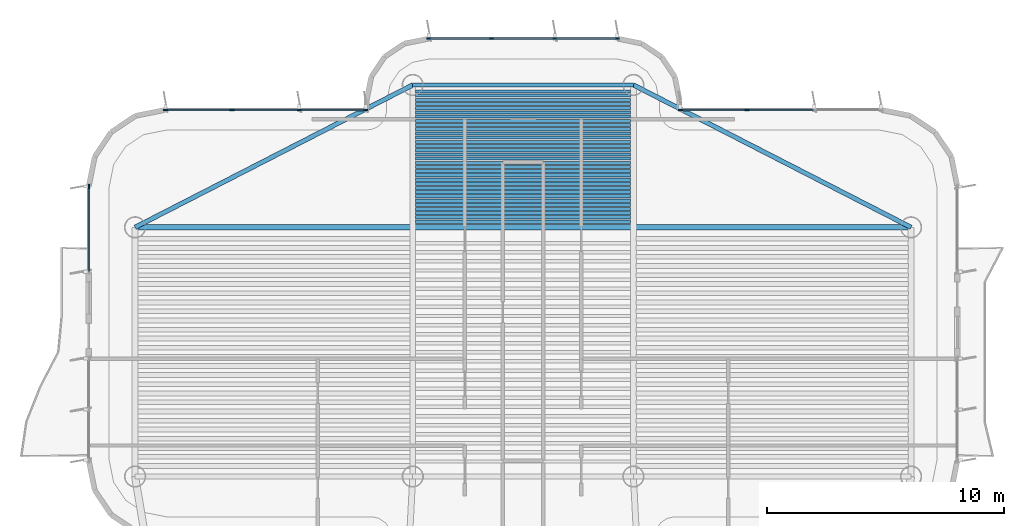
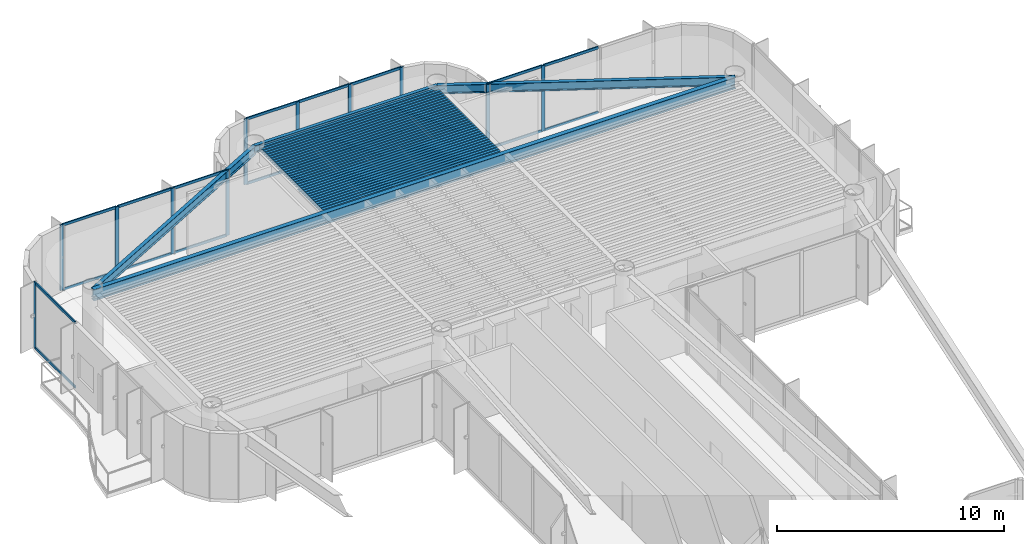
# One storey, part 7 of 15: 36 beams, 29 members, 4 elements without a shape of their own.
"""IFC4 building model written with IfcOpenShell, lengths in metres."""

from ifc_helpers import new_model, si_unit, direction, frame, origin, origin_2d, place, context, subcontext, project, spatial, rectangle, i_section, extrude, source, transform, mapped, material, layer, layer_set, material_profile, profile_set, type_object, element, aggregate, save


model = new_model("IFC4")

# Units and contexts
model_context = context("Model", 3, precision=1e-05, world=origin(), true_north=direction((0.0, 1.0)))
body_context = subcontext(model_context, "Body", "Model", "MODEL_VIEW")
ifc_project = project(units=[si_unit("LENGTHUNIT", "METRE"), si_unit("AREAUNIT", "SQUARE_METRE"), si_unit("VOLUMEUNIT", "CUBIC_METRE"), si_unit("PLANEANGLEUNIT", "RADIAN"), si_unit("MASSUNIT", "GRAM", prefix="KILO")], contexts=[model_context])

# Site, building, storey
site_placement = place(None, origin())
site = spatial("IfcSite", under=ifc_project, at=site_placement, CompositionType="ELEMENT")
building_placement = place(site_placement, origin())
building = spatial("IfcBuilding", under=site, at=building_placement, Name="Brelvock Crest Care Tower", CompositionType="ELEMENT")
storey_placement = place(building_placement, frame((0.0, 0.0, 249.47998046875)))
storey = spatial("IfcBuildingStorey", under=building, at=storey_placement, Name="L63", CompositionType="ELEMENT", Elevation=249.47998046875)

# Beams
ifc_material_1 = material(Name="Steel Grade 350", Category="steel")
ifc_material_profile_1 = material_profile(ifc_material_1, i_section(OverallWidth=0.177978515625, OverallDepth=0.406005859375, WebThickness=0.0078125, FlangeThickness=0.0126953125, FilletRadius=0.011474609375, at=origin_2d()), Name="410UB59.7")
ifc_profile_set_1 = profile_set([ifc_material_profile_1], Name="Steel Grade 350")
beam_type_1 = type_object("IfcBeamType", Name="BM-SP1", PredefinedType="SPANDREL", material=ifc_profile_set_1)
shared_shape_1 = source(origin(), body_context, "Body", "SweptSolid", [
    extrude(i_section(OverallWidth=0.177978515625, OverallDepth=0.406005859375, WebThickness=0.0078125, FlangeThickness=0.0126953125, FilletRadius=0.011474609375, at=origin_2d()), origin(), (0.0, 0.0, 1.0), 9.2998046875),
])
beam_1_placement = place(storey_placement, frame((31.35009765625, 60.449951171875, 3.326904296875), z_axis=(1.0, 0.0, 0.0), x_axis=(0.0, 1.0, 0.0)))
element("IfcBeam", 1, at=beam_1_placement, inside=storey, type_object=beam_type_1, Name="BM-TWR-L63-08", PredefinedType="SPANDREL", context=body_context, shape_type="MappedRepresentation", body=[
    mapped(shared_shape_1, transform((0.0, 0.0, 0.0), x_axis=(1.0, 0.0, 0.0), y_axis=(0.0, 1.0, 0.0), z_axis=(0.0, 0.0, 1.0), scale=1.0)),
])
ifc_material_profile_2 = material_profile(ifc_material_1, i_section(OverallWidth=0.14599609375, OverallDepth=0.256103515625, WebThickness=0.00634765625, FlangeThickness=0.010986328125, FilletRadius=0.0087890625, at=origin_2d()), Name="250UB37.3")
ifc_profile_set_2 = profile_set([ifc_material_profile_2], Name="Steel Grade 350")
beam_type_2 = type_object("IfcBeamType", Name="BM-J3", PredefinedType="JOIST", material=ifc_profile_set_2)
shared_shape_2 = source(origin(), body_context, "Body", "SweptSolid", [
    extrude(i_section(OverallWidth=0.14599609375, OverallDepth=0.256103515625, WebThickness=0.00634765625, FlangeThickness=0.010986328125, FilletRadius=0.0087890625, at=origin_2d()), origin(), (0.0, 0.0, 1.0), 9.06982421875),
])
for number, where, z_axis, x_axis, name in (
    (2, (31.465087890625, 54.68994140625, 3.402099609375), (1.0, 0.0, 0.0), (0.0, 1.0, 0.0), "BM-JN-L63-1"),
    (3, (31.465087890625, 54.866943359375, 3.402099609375), (1.0, 0.0, 0.0), (0.0, 1.0, 0.0), "BM-JN-L63-2"),
    (4, (31.465087890625, 55.0439453125, 3.402099609375), (1.0, 0.0, 0.0), (0.0, 1.0, 0.0), "BM-JN-L63-3"),
    (5, (31.465087890625, 55.220947265625, 3.402099609375), (1.0, 0.0, 0.0), (0.0, 1.0, 0.0), "BM-JN-L63-4"),
    (6, (31.465087890625, 55.39794921875, 3.402099609375), (1.0, 0.0, 0.0), (0.0, 1.0, 0.0), "BM-JN-L63-5"),
    (7, (31.465087890625, 55.574951171875, 3.402099609375), (1.0, 0.0, 0.0), (0.0, 1.0, 0.0), "BM-JN-L63-6"),
    (8, (31.465087890625, 55.751953125, 3.402099609375), (1.0, 0.0, 0.0), (0.0, 1.0, 0.0), "BM-JN-L63-7"),
    (9, (31.465087890625, 55.928955078125, 3.402099609375), (1.0, 0.0, 0.0), (0.0, 1.0, 0.0), "BM-JN-L63-8"),
    (10, (31.465087890625, 56.10595703125, 3.402099609375), (1.0, 0.0, 0.0), (0.0, 1.0, 0.0), "BM-JN-L63-9"),
    (11, (31.465087890625, 56.282958984375, 3.402099609375), (1.0, 0.0, 0.0), (0.0, 1.0, 0.0), "BM-JN-L63-10"),
    (12, (31.465087890625, 56.4599609375, 3.402099609375), (1.0, 0.0, 0.0), (0.0, 1.0, 0.0), "BM-JN-L63-11"),
    (13, (31.465087890625, 56.636962890625, 3.402099609375), (1.0, 0.0, 0.0), (0.0, 1.0, 0.0), "BM-JN-L63-12"),
    (14, (31.465087890625, 56.81396484375, 3.402099609375), (1.0, 0.0, 0.0), (0.0, 1.0, 0.0), "BM-JN-L63-13"),
):
    element("IfcBeam", number, at=place(storey_placement, frame(where, z_axis=z_axis, x_axis=x_axis)), inside=storey, type_object=beam_type_2, Name=name, PredefinedType="JOIST", context=body_context, shape_type="MappedRepresentation", body=[
        mapped(shared_shape_2, transform((0.0, 0.0, 0.0), x_axis=(1.0, 0.0, 0.0), y_axis=(0.0, 1.0, 0.0), z_axis=(0.0, 0.0, 1.0), scale=1.0)),
    ])
ifc_material_profile_3 = material_profile(ifc_material_1, i_section(OverallWidth=0.134033203125, OverallDepth=0.20703125, WebThickness=0.00634765625, FlangeThickness=0.009521484375, FilletRadius=0.0087890625, at=origin_2d()), Name="200UB29.8")
ifc_profile_set_3 = profile_set([ifc_material_profile_3], Name="Steel Grade 350")
beam_type_3 = type_object("IfcBeamType", Name="BM-J4", PredefinedType="JOIST", material=ifc_profile_set_3)
shared_shape_3 = source(origin(), body_context, "Body", "SweptSolid", [
    extrude(i_section(OverallWidth=0.134033203125, OverallDepth=0.20703125, WebThickness=0.00634765625, FlangeThickness=0.009521484375, FilletRadius=0.0087890625, at=origin_2d()), origin(), (0.0, 0.0, 1.0), 9.06982421875),
])
for number, where, z_axis, x_axis, name in (
    (15, (31.465087890625, 56.990966796875, 3.426513671875), (1.0, 0.0, 0.0), (0.0, 1.0, 0.0), "BM-JN-L63-14"),
    (16, (31.465087890625, 57.16796875, 3.426513671875), (1.0, 0.0, 0.0), (0.0, 1.0, 0.0), "BM-JN-L63-15"),
    (17, (31.465087890625, 57.344970703125, 3.426513671875), (1.0, 0.0, 0.0), (0.0, 1.0, 0.0), "BM-JN-L63-16"),
    (18, (31.465087890625, 57.52197265625, 3.426513671875), (1.0, 0.0, 0.0), (0.0, 1.0, 0.0), "BM-JN-L63-17"),
    (19, (31.465087890625, 57.698974609375, 3.426513671875), (1.0, 0.0, 0.0), (0.0, 1.0, 0.0), "BM-JN-L63-18"),
    (20, (31.465087890625, 57.8759765625, 3.426513671875), (1.0, 0.0, 0.0), (0.0, 1.0, 0.0), "BM-JN-L63-19"),
    (21, (31.465087890625, 58.052978515625, 3.426513671875), (1.0, 0.0, 0.0), (0.0, 1.0, 0.0), "BM-JN-L63-20"),
    (22, (31.465087890625, 58.22998046875, 3.426513671875), (1.0, 0.0, 0.0), (0.0, 1.0, 0.0), "BM-JN-L63-21"),
    (23, (31.465087890625, 58.406982421875, 3.426513671875), (1.0, 0.0, 0.0), (0.0, 1.0, 0.0), "BM-JN-L63-22"),
    (24, (31.465087890625, 58.583984375, 3.426513671875), (1.0, 0.0, 0.0), (0.0, 1.0, 0.0), "BM-JN-L63-23"),
    (25, (31.465087890625, 58.760986328125, 3.426513671875), (1.0, 0.0, 0.0), (0.0, 1.0, 0.0), "BM-JN-L63-24"),
    (26, (31.465087890625, 58.93798828125, 3.426513671875), (1.0, 0.0, 0.0), (0.0, 1.0, 0.0), "BM-JN-L63-25"),
    (27, (31.465087890625, 59.114990234375, 3.426513671875), (1.0, 0.0, 0.0), (0.0, 1.0, 0.0), "BM-JN-L63-26"),
    (28, (31.465087890625, 59.2919921875, 3.426513671875), (1.0, 0.0, 0.0), (0.0, 1.0, 0.0), "BM-JN-L63-27"),
    (29, (31.465087890625, 59.468994140625, 3.426513671875), (1.0, 0.0, 0.0), (0.0, 1.0, 0.0), "BM-JN-L63-28"),
    (30, (31.465087890625, 59.64599609375, 3.426513671875), (1.0, 0.0, 0.0), (0.0, 1.0, 0.0), "BM-JN-L63-29"),
    (31, (31.465087890625, 59.822998046875, 3.426513671875), (1.0, 0.0, 0.0), (0.0, 1.0, 0.0), "BM-JN-L63-30"),
    (32, (31.465087890625, 60.0, 3.426513671875), (1.0, 0.0, 0.0), (0.0, 1.0, 0.0), "BM-JN-L63-31"),
    (33, (31.465087890625, 60.177001953125, 3.426513671875), (1.0, 0.0, 0.0), (0.0, 1.0, 0.0), "BM-JN-L63-32"),
):
    element("IfcBeam", number, at=place(storey_placement, frame(where, z_axis=z_axis, x_axis=x_axis)), inside=storey, type_object=beam_type_3, Name=name, PredefinedType="JOIST", context=body_context, shape_type="MappedRepresentation", body=[
        mapped(shared_shape_3, transform((0.0, 0.0, 0.0), x_axis=(1.0, 0.0, 0.0), y_axis=(0.0, 1.0, 0.0), z_axis=(0.0, 0.0, 1.0), scale=1.0)),
    ])
ifc_material_profile_4 = material_profile(ifc_material_1, i_section(OverallWidth=0.19091796875, OverallDepth=0.4599609375, WebThickness=0.010009765625, FlangeThickness=0.01611328125, FilletRadius=0.011474609375, at=origin_2d()), Name="460UB82.1")
ifc_profile_set_4 = profile_set([ifc_material_profile_4], Name="Steel Grade 350")
beam_type_4 = type_object("IfcBeamType", Name="BM-SP2", PredefinedType="SPANDREL", material=ifc_profile_set_4)
shared_shape_4 = source(origin(), body_context, "Body", "SweptSolid", [
    extrude(i_section(OverallWidth=0.19091796875, OverallDepth=0.4599609375, WebThickness=0.010009765625, FlangeThickness=0.01611328125, FilletRadius=0.011474609375, at=origin_2d()), origin(), (0.0, 0.0, 1.0), 13.14892578125),
])
for number, where, z_axis, x_axis, name in (
    (34, (19.64990234375, 54.449951171875, 3.300048828125), (0.889820555736, 0.456310616346, 0.0), (-0.456310616346, 0.889820555736, 0.0), "BM-TWR-L63-06"),
    (35, (40.64990234375, 60.449951171875, 3.300048828125), (0.889820555736, -0.456310616346, 0.0), (0.456310616346, 0.889820555736, 0.0), "BM-TWR-L63-07"),
):
    element("IfcBeam", number, at=place(storey_placement, frame(where, z_axis=z_axis, x_axis=x_axis)), inside=storey, type_object=beam_type_4, Name=name, PredefinedType="SPANDREL", context=body_context, shape_type="MappedRepresentation", body=[
        mapped(shared_shape_4, transform((0.0, 0.0, 0.0), x_axis=(1.0, 0.0, 0.0), y_axis=(0.0, 1.0, 0.0), z_axis=(0.0, 0.0, 1.0), scale=1.0)),
    ])
ifc_material_profile_5 = material_profile(ifc_material_1, i_section(OverallWidth=0.22900390625, OverallDepth=0.612060546875, WebThickness=0.011962890625, FlangeThickness=0.01953125, FilletRadius=0.013916015625, at=origin_2d()), Name="610UB125")
ifc_profile_set_5 = profile_set([ifc_material_profile_5], Name="Steel Grade 350")
beam_type_5 = type_object("IfcBeamType", Name="BM-G1", PredefinedType="BEAM", material=ifc_profile_set_5)
shared_shape_5 = source(origin(), body_context, "Body", "SweptSolid", [
    extrude(i_section(OverallWidth=0.22900390625, OverallDepth=0.612060546875, WebThickness=0.011962890625, FlangeThickness=0.01953125, FilletRadius=0.013916015625, at=origin_2d()), origin(), (0.0, 0.0, 1.0), 32.7001953125),
])
beam_2_placement = place(storey_placement, frame((19.64990234375, 54.449951171875, 3.22412109375), z_axis=(1.0, 0.0, 0.0), x_axis=(0.0, 1.0, 0.0)))
element("IfcBeam", 36, at=beam_2_placement, inside=storey, type_object=beam_type_5, Name="BM-TWR-L63-11", PredefinedType="BEAM", context=body_context, shape_type="MappedRepresentation", body=[
    mapped(shared_shape_5, transform((0.0, 0.0, 0.0), x_axis=(1.0, 0.0, 0.0), y_axis=(0.0, 1.0, 0.0), z_axis=(0.0, 0.0, 1.0), scale=1.0)),
])

# Curtain wall, member
ifc_material_2 = material(Name="Dark Glass Double Glazed Low-E", Category="glass")
ifc_layer = layer(ifc_material_2, 0.239990234375, Name="CWS-5")
ifc_layer_set = layer_set([ifc_layer], Name="Dark Glass Double Glazed Low-E")
curtain_wall_type = type_object("IfcCurtainWallType", Name="CWS-5", PredefinedType="NOTDEFINED", material=ifc_layer_set)
curtain_wall_1_placement = place(storey_placement, origin())
curtain_wall_1 = element("IfcCurtainWall", 37, at=curtain_wall_1_placement, inside=storey, type_object=curtain_wall_type, Name="L63 Curtain Wall E17B", PredefinedType="NOTDEFINED")
ifc_material_3 = material(Name="Aluminium 6063-T6", Category="aluminium")
ifc_material_profile_6 = material_profile(ifc_material_3, rectangle(XDim=0.06005859375, YDim=0.179931640625, at=origin_2d()), Name="ALU60x180")
ifc_profile_set_6 = profile_set([ifc_material_profile_6], Name="Aluminium 6063-T6")
member_type_1 = type_object("IfcMemberType", Name="CWM-2", PredefinedType="MULLION", material=ifc_profile_set_6)
shared_shape_6 = source(origin(), body_context, "Body", "SweptSolid", [
    extrude(rectangle(XDim=0.06005859375, YDim=0.179931640625, at=origin_2d()), origin(), (0.0, 0.0, 1.0), 3.530029296875),
])
member_1_placement = place(storey_placement, frame((17.699951171875, 56.169921875, 0.0), z_axis=(0.0, 0.0, 1.0), x_axis=(-1.0, 0.0, 0.0)))
member_1 = element("IfcMember", 38, at=member_1_placement, type_object=member_type_1, Name="CW-5 mullion 2", PredefinedType="MULLION", context=body_context, shape_type="MappedRepresentation", body=[
    mapped(shared_shape_6, transform((0.0, 0.0, 0.0), x_axis=(1.0, 0.0, 0.0), y_axis=(0.0, 1.0, 0.0), z_axis=(0.0, 0.0, 1.0), scale=1.0)),
])

# Curtain wall, members
curtain_wall_2_placement = place(storey_placement, origin())
curtain_wall_2 = element("IfcCurtainWall", 39, at=curtain_wall_2_placement, inside=storey, type_object=curtain_wall_type, Name="L63 Curtain Wall E22", PredefinedType="NOTDEFINED")
member_2_placement = place(storey_placement, frame((20.929931640625, 59.39990234375, 0.0), z_axis=(0.0, 0.0, 1.0), x_axis=(0.0, 1.0, 0.0)))
member_2 = element("IfcMember", 40, at=member_2_placement, type_object=member_type_1, Name="CW-5 mullion 1", PredefinedType="MULLION", context=body_context, shape_type="MappedRepresentation", body=[
    mapped(shared_shape_6, transform((0.0, 0.0, 0.0), x_axis=(1.0, 0.0, 0.0), y_axis=(0.0, 1.0, 0.0), z_axis=(0.0, 0.0, 1.0), scale=1.0)),
])
member_3_placement = place(storey_placement, frame((23.7333984375, 59.39990234375, 0.0), z_axis=(0.0, 0.0, 1.0), x_axis=(0.0, 1.0, 0.0)))
member_3 = element("IfcMember", 41, at=member_3_placement, type_object=member_type_1, Name="CW-5 mullion 2", PredefinedType="MULLION", context=body_context, shape_type="MappedRepresentation", body=[
    mapped(shared_shape_6, transform((0.0, 0.0, 0.0), x_axis=(1.0, 0.0, 0.0), y_axis=(0.0, 1.0, 0.0), z_axis=(0.0, 0.0, 1.0), scale=1.0)),
])
member_4_placement = place(storey_placement, frame((26.566650390625, 59.39990234375, 0.0), z_axis=(0.0, 0.0, 1.0), x_axis=(0.0, 1.0, 0.0)))
member_4 = element("IfcMember", 42, at=member_4_placement, type_object=member_type_1, Name="CW-5 mullion 3", PredefinedType="MULLION", context=body_context, shape_type="MappedRepresentation", body=[
    mapped(shared_shape_6, transform((0.0, 0.0, 0.0), x_axis=(1.0, 0.0, 0.0), y_axis=(0.0, 1.0, 0.0), z_axis=(0.0, 0.0, 1.0), scale=1.0)),
])
member_5_placement = place(storey_placement, frame((29.3701171875, 59.39990234375, 0.0), z_axis=(0.0, 0.0, 1.0), x_axis=(0.0, 1.0, 0.0)))
member_5 = element("IfcMember", 43, at=member_5_placement, type_object=member_type_1, Name="CW-5 mullion 4", PredefinedType="MULLION", context=body_context, shape_type="MappedRepresentation", body=[
    mapped(shared_shape_6, transform((0.0, 0.0, 0.0), x_axis=(1.0, 0.0, 0.0), y_axis=(0.0, 1.0, 0.0), z_axis=(0.0, 0.0, 1.0), scale=1.0)),
])

curtain_wall_3_placement = place(storey_placement, origin())
curtain_wall_3 = element("IfcCurtainWall", 44, at=curtain_wall_3_placement, inside=storey, type_object=curtain_wall_type, Name="L63 Curtain Wall E28", PredefinedType="NOTDEFINED")
member_6_placement = place(storey_placement, frame((32.030029296875, 62.39990234375, 0.0), z_axis=(0.0, 0.0, 1.0), x_axis=(0.0, 1.0, 0.0)))
member_6 = element("IfcMember", 45, at=member_6_placement, type_object=member_type_1, Name="CW-5 mullion 1", PredefinedType="MULLION", context=body_context, shape_type="MappedRepresentation", body=[
    mapped(shared_shape_6, transform((0.0, 0.0, 0.0), x_axis=(1.0, 0.0, 0.0), y_axis=(0.0, 1.0, 0.0), z_axis=(0.0, 0.0, 1.0), scale=1.0)),
])
member_7_placement = place(storey_placement, frame((34.666748046875, 62.39990234375, 0.0), z_axis=(0.0, 0.0, 1.0), x_axis=(0.0, 1.0, 0.0)))
member_7 = element("IfcMember", 46, at=member_7_placement, type_object=member_type_1, Name="CW-5 mullion 2", PredefinedType="MULLION", context=body_context, shape_type="MappedRepresentation", body=[
    mapped(shared_shape_6, transform((0.0, 0.0, 0.0), x_axis=(1.0, 0.0, 0.0), y_axis=(0.0, 1.0, 0.0), z_axis=(0.0, 0.0, 1.0), scale=1.0)),
])
member_8_placement = place(storey_placement, frame((37.333251953125, 62.39990234375, 0.0), z_axis=(0.0, 0.0, 1.0), x_axis=(0.0, 1.0, 0.0)))
member_8 = element("IfcMember", 47, at=member_8_placement, type_object=member_type_1, Name="CW-5 mullion 3", PredefinedType="MULLION", context=body_context, shape_type="MappedRepresentation", body=[
    mapped(shared_shape_6, transform((0.0, 0.0, 0.0), x_axis=(1.0, 0.0, 0.0), y_axis=(0.0, 1.0, 0.0), z_axis=(0.0, 0.0, 1.0), scale=1.0)),
])
member_9_placement = place(storey_placement, frame((39.969970703125, 62.39990234375, 0.0), z_axis=(0.0, 0.0, 1.0), x_axis=(0.0, 1.0, 0.0)))
member_9 = element("IfcMember", 48, at=member_9_placement, type_object=member_type_1, Name="CW-5 mullion 4", PredefinedType="MULLION", context=body_context, shape_type="MappedRepresentation", body=[
    mapped(shared_shape_6, transform((0.0, 0.0, 0.0), x_axis=(1.0, 0.0, 0.0), y_axis=(0.0, 1.0, 0.0), z_axis=(0.0, 0.0, 1.0), scale=1.0)),
])

curtain_wall_4_placement = place(storey_placement, origin())
curtain_wall_4 = element("IfcCurtainWall", 49, at=curtain_wall_4_placement, inside=storey, type_object=curtain_wall_type, Name="L63 Curtain Wall E34", PredefinedType="NOTDEFINED")
member_10_placement = place(storey_placement, frame((42.6298828125, 59.39990234375, 0.0), z_axis=(0.0, 0.0, 1.0), x_axis=(0.0, 1.0, 0.0)))
member_10 = element("IfcMember", 50, at=member_10_placement, type_object=member_type_1, Name="CW-5 mullion 1", PredefinedType="MULLION", context=body_context, shape_type="MappedRepresentation", body=[
    mapped(shared_shape_6, transform((0.0, 0.0, 0.0), x_axis=(1.0, 0.0, 0.0), y_axis=(0.0, 1.0, 0.0), z_axis=(0.0, 0.0, 1.0), scale=1.0)),
])
member_11_placement = place(storey_placement, frame((45.433349609375, 59.39990234375, 0.0), z_axis=(0.0, 0.0, 1.0), x_axis=(0.0, 1.0, 0.0)))
member_11 = element("IfcMember", 51, at=member_11_placement, type_object=member_type_1, Name="CW-5 mullion 2", PredefinedType="MULLION", context=body_context, shape_type="MappedRepresentation", body=[
    mapped(shared_shape_6, transform((0.0, 0.0, 0.0), x_axis=(1.0, 0.0, 0.0), y_axis=(0.0, 1.0, 0.0), z_axis=(0.0, 0.0, 1.0), scale=1.0)),
])

# Member
ifc_material_profile_7 = material_profile(ifc_material_3, rectangle(XDim=0.06005859375, YDim=0.139892578125, at=origin_2d()), Name="ALU60x140")
ifc_profile_set_7 = profile_set([ifc_material_profile_7], Name="Aluminium 6063-T6")
member_type_2 = type_object("IfcMemberType", Name="CWT-2", PredefinedType="USERDEFINED", material=ifc_profile_set_7)
shared_shape_7 = source(origin(), body_context, "Body", "SweptSolid", [
    extrude(rectangle(XDim=0.06005859375, YDim=0.139892578125, at=origin_2d()), origin(), (0.0, 0.0, 1.0), 2.57666015625),
])
member_12_placement = place(storey_placement, frame((32.06005859375, 62.39990234375, 0.030029296875), z_axis=(1.0, 0.0, 0.0), x_axis=(0.0, 1.0, 0.0)))
member_12 = element("IfcMember", 52, at=member_12_placement, type_object=member_type_2, Name="CW-5 transom 1.1", ObjectType="TRANSOM", PredefinedType="USERDEFINED", context=body_context, shape_type="MappedRepresentation", body=[
    mapped(shared_shape_7, transform((0.0, 0.0, 0.0), x_axis=(1.0, 0.0, 0.0), y_axis=(0.0, 1.0, 0.0), z_axis=(0.0, 0.0, 1.0), scale=1.0)),
])

member_13_placement = place(storey_placement, frame((32.06005859375, 62.39990234375, 3.5), z_axis=(1.0, 0.0, 0.0), x_axis=(0.0, 1.0, 0.0)))
member_13 = element("IfcMember", 53, at=member_13_placement, type_object=member_type_2, Name="CW-5 transom 1.2", ObjectType="TRANSOM", PredefinedType="USERDEFINED", context=body_context, shape_type="MappedRepresentation", body=[
    mapped(shared_shape_7, transform((0.0, 0.0, 0.0), x_axis=(1.0, 0.0, 0.0), y_axis=(0.0, 1.0, 0.0), z_axis=(0.0, 0.0, 1.0), scale=1.0)),
])

member_14_placement = place(storey_placement, frame((37.36328125, 62.39990234375, 0.030029296875), z_axis=(1.0, 0.0, 0.0), x_axis=(0.0, 1.0, 0.0)))
member_14 = element("IfcMember", 54, at=member_14_placement, type_object=member_type_2, Name="CW-5 transom 3.1", ObjectType="TRANSOM", PredefinedType="USERDEFINED", context=body_context, shape_type="MappedRepresentation", body=[
    mapped(shared_shape_7, transform((0.0, 0.0, 0.0), x_axis=(1.0, 0.0, 0.0), y_axis=(0.0, 1.0, 0.0), z_axis=(0.0, 0.0, 1.0), scale=1.0)),
])

member_15_placement = place(storey_placement, frame((37.36328125, 62.39990234375, 3.5), z_axis=(1.0, 0.0, 0.0), x_axis=(0.0, 1.0, 0.0)))
member_15 = element("IfcMember", 55, at=member_15_placement, type_object=member_type_2, Name="CW-5 transom 3.2", ObjectType="TRANSOM", PredefinedType="USERDEFINED", context=body_context, shape_type="MappedRepresentation", body=[
    mapped(shared_shape_7, transform((0.0, 0.0, 0.0), x_axis=(1.0, 0.0, 0.0), y_axis=(0.0, 1.0, 0.0), z_axis=(0.0, 0.0, 1.0), scale=1.0)),
])

shared_shape_8 = source(origin(), body_context, "Body", "SweptSolid", [
    extrude(rectangle(XDim=0.06005859375, YDim=0.139892578125, at=origin_2d()), origin(), (0.0, 0.0, 1.0), 2.743408203125),
])
member_16_placement = place(storey_placement, frame((20.9599609375, 59.39990234375, 0.030029296875), z_axis=(1.0, 0.0, 0.0), x_axis=(0.0, 1.0, 0.0)))
member_16 = element("IfcMember", 56, at=member_16_placement, type_object=member_type_2, Name="CW-5 transom 1.1", ObjectType="TRANSOM", PredefinedType="USERDEFINED", context=body_context, shape_type="MappedRepresentation", body=[
    mapped(shared_shape_8, transform((0.0, 0.0, 0.0), x_axis=(1.0, 0.0, 0.0), y_axis=(0.0, 1.0, 0.0), z_axis=(0.0, 0.0, 1.0), scale=1.0)),
])

member_17_placement = place(storey_placement, frame((20.9599609375, 59.39990234375, 3.5), z_axis=(1.0, 0.0, 0.0), x_axis=(0.0, 1.0, 0.0)))
member_17 = element("IfcMember", 57, at=member_17_placement, type_object=member_type_2, Name="CW-5 transom 1.2", ObjectType="TRANSOM", PredefinedType="USERDEFINED", context=body_context, shape_type="MappedRepresentation", body=[
    mapped(shared_shape_8, transform((0.0, 0.0, 0.0), x_axis=(1.0, 0.0, 0.0), y_axis=(0.0, 1.0, 0.0), z_axis=(0.0, 0.0, 1.0), scale=1.0)),
])

member_18_placement = place(storey_placement, frame((26.5966796875, 59.39990234375, 0.030029296875), z_axis=(1.0, 0.0, 0.0), x_axis=(0.0, 1.0, 0.0)))
member_18 = element("IfcMember", 58, at=member_18_placement, type_object=member_type_2, Name="CW-5 transom 3.1", ObjectType="TRANSOM", PredefinedType="USERDEFINED", context=body_context, shape_type="MappedRepresentation", body=[
    mapped(shared_shape_8, transform((0.0, 0.0, 0.0), x_axis=(1.0, 0.0, 0.0), y_axis=(0.0, 1.0, 0.0), z_axis=(0.0, 0.0, 1.0), scale=1.0)),
])

member_19_placement = place(storey_placement, frame((26.5966796875, 59.39990234375, 3.5), z_axis=(1.0, 0.0, 0.0), x_axis=(0.0, 1.0, 0.0)))
member_19 = element("IfcMember", 59, at=member_19_placement, type_object=member_type_2, Name="CW-5 transom 3.2", ObjectType="TRANSOM", PredefinedType="USERDEFINED", context=body_context, shape_type="MappedRepresentation", body=[
    mapped(shared_shape_8, transform((0.0, 0.0, 0.0), x_axis=(1.0, 0.0, 0.0), y_axis=(0.0, 1.0, 0.0), z_axis=(0.0, 0.0, 1.0), scale=1.0)),
])

member_20_placement = place(storey_placement, frame((42.659912109375, 59.39990234375, 0.030029296875), z_axis=(1.0, 0.0, 0.0), x_axis=(0.0, 1.0, 0.0)))
member_20 = element("IfcMember", 60, at=member_20_placement, type_object=member_type_2, Name="CW-5 transom 1.1", ObjectType="TRANSOM", PredefinedType="USERDEFINED", context=body_context, shape_type="MappedRepresentation", body=[
    mapped(shared_shape_8, transform((0.0, 0.0, 0.0), x_axis=(1.0, 0.0, 0.0), y_axis=(0.0, 1.0, 0.0), z_axis=(0.0, 0.0, 1.0), scale=1.0)),
])

member_21_placement = place(storey_placement, frame((42.659912109375, 59.39990234375, 3.5), z_axis=(1.0, 0.0, 0.0), x_axis=(0.0, 1.0, 0.0)))
member_21 = element("IfcMember", 61, at=member_21_placement, type_object=member_type_2, Name="CW-5 transom 1.2", ObjectType="TRANSOM", PredefinedType="USERDEFINED", context=body_context, shape_type="MappedRepresentation", body=[
    mapped(shared_shape_8, transform((0.0, 0.0, 0.0), x_axis=(1.0, 0.0, 0.0), y_axis=(0.0, 1.0, 0.0), z_axis=(0.0, 0.0, 1.0), scale=1.0)),
])

shared_shape_9 = source(origin(), body_context, "Body", "SweptSolid", [
    extrude(rectangle(XDim=0.06005859375, YDim=0.139892578125, at=origin_2d()), origin(), (0.0, 0.0, 1.0), 2.773193359375),
])
member_22_placement = place(storey_placement, frame((23.763427734375, 59.39990234375, 0.030029296875), z_axis=(1.0, 0.0, 0.0), x_axis=(0.0, 1.0, 0.0)))
member_22 = element("IfcMember", 62, at=member_22_placement, type_object=member_type_2, Name="CW-5 transom 2.1", ObjectType="TRANSOM", PredefinedType="USERDEFINED", context=body_context, shape_type="MappedRepresentation", body=[
    mapped(shared_shape_9, transform((0.0, 0.0, 0.0), x_axis=(1.0, 0.0, 0.0), y_axis=(0.0, 1.0, 0.0), z_axis=(0.0, 0.0, 1.0), scale=1.0)),
])

member_23_placement = place(storey_placement, frame((23.763427734375, 59.39990234375, 3.5), z_axis=(1.0, 0.0, 0.0), x_axis=(0.0, 1.0, 0.0)))
member_23 = element("IfcMember", 63, at=member_23_placement, type_object=member_type_2, Name="CW-5 transom 2.2", ObjectType="TRANSOM", PredefinedType="USERDEFINED", context=body_context, shape_type="MappedRepresentation", body=[
    mapped(shared_shape_9, transform((0.0, 0.0, 0.0), x_axis=(1.0, 0.0, 0.0), y_axis=(0.0, 1.0, 0.0), z_axis=(0.0, 0.0, 1.0), scale=1.0)),
])

aggregate(curtain_wall_2, [member_2, member_3, member_4, member_5, member_16, member_17, member_22, member_23, member_18, member_19])

member_24_placement = place(storey_placement, frame((45.46337890625, 59.39990234375, 0.030029296875), z_axis=(1.0, 0.0, 0.0), x_axis=(0.0, 1.0, 0.0)))
member_24 = element("IfcMember", 64, at=member_24_placement, type_object=member_type_2, Name="CW-5 transom 2.1", ObjectType="TRANSOM", PredefinedType="USERDEFINED", context=body_context, shape_type="MappedRepresentation", body=[
    mapped(shared_shape_9, transform((0.0, 0.0, 0.0), x_axis=(1.0, 0.0, 0.0), y_axis=(0.0, 1.0, 0.0), z_axis=(0.0, 0.0, 1.0), scale=1.0)),
])

member_25_placement = place(storey_placement, frame((45.46337890625, 59.39990234375, 3.5), z_axis=(1.0, 0.0, 0.0), x_axis=(0.0, 1.0, 0.0)))
member_25 = element("IfcMember", 65, at=member_25_placement, type_object=member_type_2, Name="CW-5 transom 2.2", ObjectType="TRANSOM", PredefinedType="USERDEFINED", context=body_context, shape_type="MappedRepresentation", body=[
    mapped(shared_shape_9, transform((0.0, 0.0, 0.0), x_axis=(1.0, 0.0, 0.0), y_axis=(0.0, 1.0, 0.0), z_axis=(0.0, 0.0, 1.0), scale=1.0)),
])

aggregate(curtain_wall_4, [member_10, member_11, member_20, member_21, member_24, member_25])

shared_shape_10 = source(origin(), body_context, "Body", "SweptSolid", [
    extrude(rectangle(XDim=0.06005859375, YDim=0.139892578125, at=origin_2d()), origin(), (0.0, 0.0, 1.0), 2.6064453125),
])
member_26_placement = place(storey_placement, frame((34.69677734375, 62.39990234375, 0.030029296875), z_axis=(1.0, 0.0, 0.0), x_axis=(0.0, 1.0, 0.0)))
member_26 = element("IfcMember", 66, at=member_26_placement, type_object=member_type_2, Name="CW-5 transom 2.1", ObjectType="TRANSOM", PredefinedType="USERDEFINED", context=body_context, shape_type="MappedRepresentation", body=[
    mapped(shared_shape_10, transform((0.0, 0.0, 0.0), x_axis=(1.0, 0.0, 0.0), y_axis=(0.0, 1.0, 0.0), z_axis=(0.0, 0.0, 1.0), scale=1.0)),
])

member_27_placement = place(storey_placement, frame((34.69677734375, 62.39990234375, 3.5), z_axis=(1.0, 0.0, 0.0), x_axis=(0.0, 1.0, 0.0)))
member_27 = element("IfcMember", 67, at=member_27_placement, type_object=member_type_2, Name="CW-5 transom 2.2", ObjectType="TRANSOM", PredefinedType="USERDEFINED", context=body_context, shape_type="MappedRepresentation", body=[
    mapped(shared_shape_10, transform((0.0, 0.0, 0.0), x_axis=(1.0, 0.0, 0.0), y_axis=(0.0, 1.0, 0.0), z_axis=(0.0, 0.0, 1.0), scale=1.0)),
])

aggregate(curtain_wall_3, [member_6, member_7, member_8, member_9, member_12, member_13, member_26, member_27, member_14, member_15])

shared_shape_11 = source(origin(), body_context, "Body", "SweptSolid", [
    extrude(rectangle(XDim=0.06005859375, YDim=0.139892578125, at=origin_2d()), origin(), (0.0, 0.0, 1.0), 3.52978515625),
])
member_28_placement = place(storey_placement, frame((17.699951171875, 52.610107421875, 0.030029296875), z_axis=(0.0, 1.0, 0.0), x_axis=(-1.0, 0.0, 0.0)))
member_28 = element("IfcMember", 68, at=member_28_placement, type_object=member_type_2, Name="CW-5 transom 1.1", ObjectType="TRANSOM", PredefinedType="USERDEFINED", context=body_context, shape_type="MappedRepresentation", body=[
    mapped(shared_shape_11, transform((0.0, 0.0, 0.0), x_axis=(1.0, 0.0, 0.0), y_axis=(0.0, 1.0, 0.0), z_axis=(0.0, 0.0, 1.0), scale=1.0)),
])

member_29_placement = place(storey_placement, frame((17.699951171875, 52.610107421875, 3.5), z_axis=(0.0, 1.0, 0.0), x_axis=(-1.0, 0.0, 0.0)))
member_29 = element("IfcMember", 69, at=member_29_placement, type_object=member_type_2, Name="CW-5 transom 1.2", ObjectType="TRANSOM", PredefinedType="USERDEFINED", context=body_context, shape_type="MappedRepresentation", body=[
    mapped(shared_shape_11, transform((0.0, 0.0, 0.0), x_axis=(1.0, 0.0, 0.0), y_axis=(0.0, 1.0, 0.0), z_axis=(0.0, 0.0, 1.0), scale=1.0)),
])

aggregate(curtain_wall_1, [member_1, member_28, member_29])

save(model, "model.ifc")
